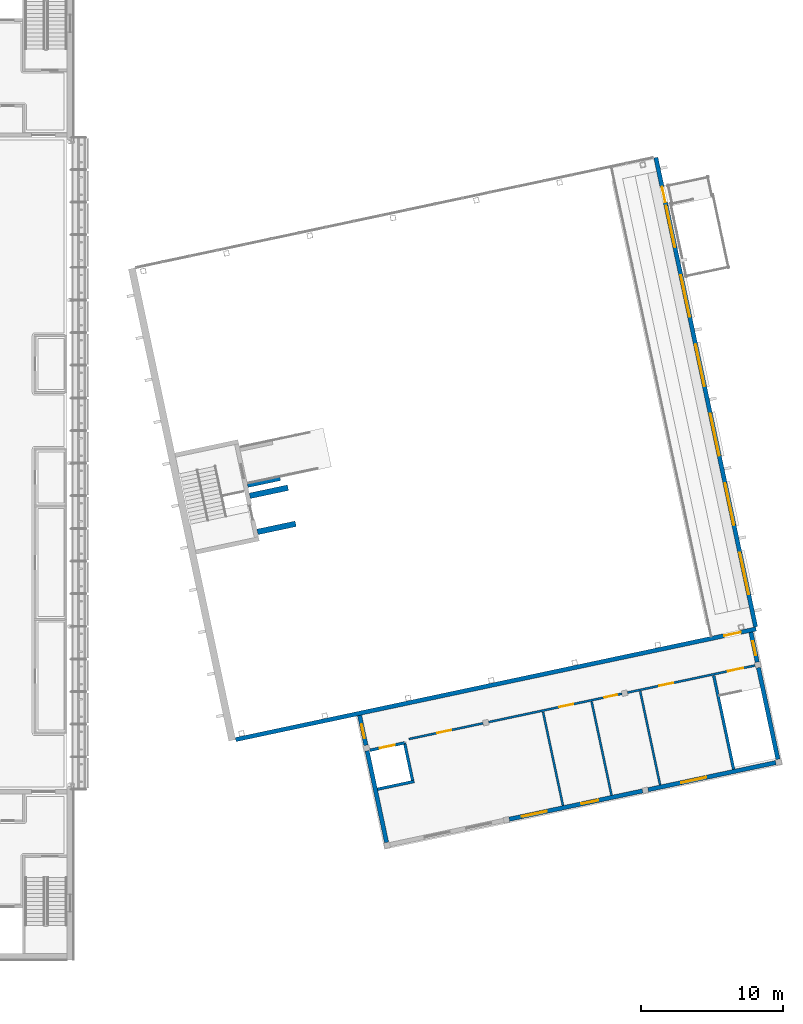
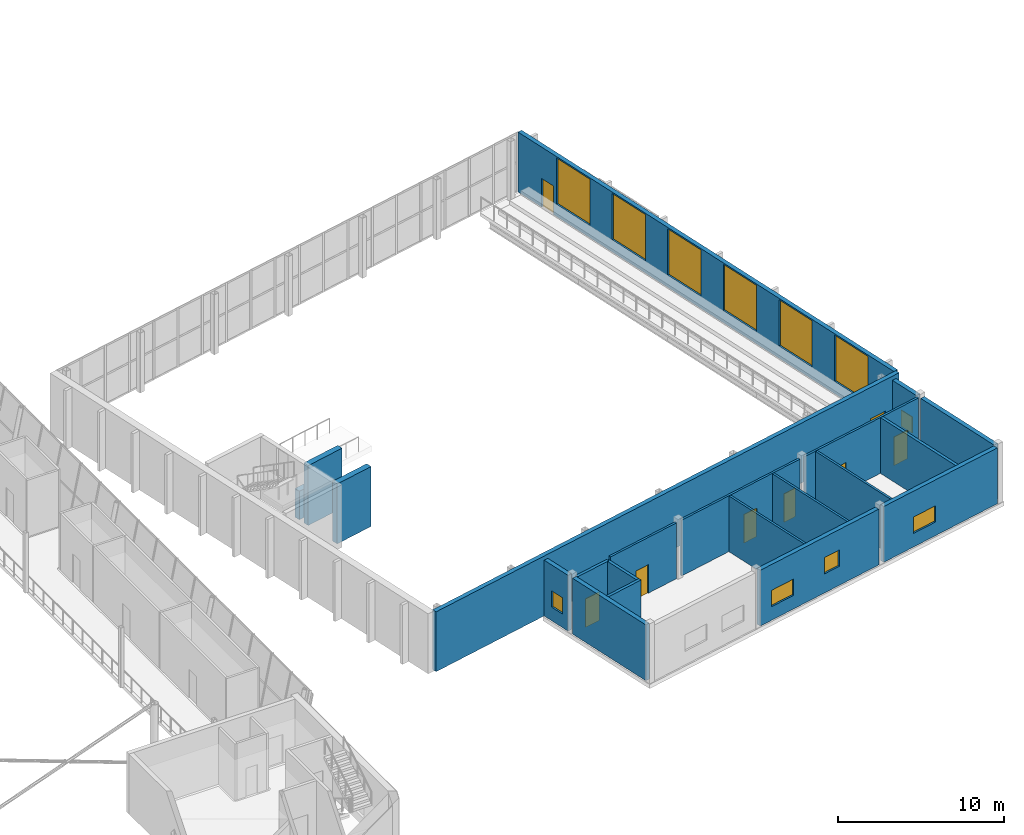
# One storey, part 76 of 115: 21 walls, 11 windows, 8 doors, 19 openings.
"""IFC4 building model written with IfcOpenShell, lengths in metres."""

from ifc_helpers import new_model, si_unit, direction, frame, frame_2d, origin, place, context, subcontext, project, spatial, rectangle, extrude, material, layer, layer_set, type_object, element, fill, save


model = new_model("IFC4")

# Units and contexts
model_context = context("Model", 3, precision=1e-05, world=origin(), true_north=direction((0.0, 1.0)))
body_context = subcontext(model_context, "Body", "Model", "MODEL_VIEW")
ifc_project = project(units=[si_unit("LENGTHUNIT", "METRE"), si_unit("AREAUNIT", "SQUARE_METRE"), si_unit("VOLUMEUNIT", "CUBIC_METRE"), si_unit("PLANEANGLEUNIT", "RADIAN"), si_unit("MASSUNIT", "GRAM", prefix="KILO")], contexts=[model_context])

# Site, building, storey
site_placement = place(None, origin())
site = spatial("IfcSite", under=ifc_project, at=site_placement, CompositionType="ELEMENT")
building_placement = place(site_placement, origin())
building = spatial("IfcBuilding", under=site, at=building_placement, Name="Windward Yard Aquatics Centre", CompositionType="ELEMENT")
storey_placement = place(building_placement, frame((0.0, 0.0, 5.0)))
storey = spatial("IfcBuildingStorey", under=building, at=storey_placement, Name="L01", CompositionType="ELEMENT", Elevation=5.0)

# Wall, opening, door
ifc_material_1 = material(Name="Concrete C35/45", Category="concrete")
ifc_layer_1 = layer(ifc_material_1, 0.199951171875)
ifc_layer_set_1 = layer_set([ifc_layer_1], Name="D annex core wall 200")
wall_type_1 = type_object("IfcWallType", Name="D annex core wall 200", PredefinedType="SOLIDWALL", material=ifc_layer_set_1)
wall_1_placement = place(storey_placement, frame((172.9013671875, 40.776123046875, 0.0), z_axis=(0.0, 0.0, 1.0), x_axis=(0.978146935828, 0.207914818928, 0.0)))
wall_1 = element("IfcWall", 1, at=wall_1_placement, inside=storey, type_object=wall_type_1, Name="D.W.A.L01.LS.N", PredefinedType="SOLIDWALL", context=body_context, shape_type="SweptSolid", body=[
    extrude(rectangle(XDim=2.5, YDim=0.199951171875, at=frame_2d((1.25, 0.0))), origin(), (0.0, 0.0, 1.0), 4.10009765625),
])
opening_1_placement = place(wall_1_placement, frame((0.699951171875, 0.0, 0.0)))
opening_1 = element("IfcOpeningElement", 2, at=opening_1_placement, cuts=wall_1, Name="Opening D1901", PredefinedType="OPENING", context=body_context, shape_type="SweptSolid", body=[
    extrude(rectangle(XDim=1.10009765625, YDim=2.10009765625, at=frame_2d((0.550048828125, 1.050048828125))), frame((0.0, 0.10986328125, 0.0), z_axis=(0.0, -1.0, 0.0), x_axis=(1.0, 0.0, 0.0)), (0.0, 0.0, 1.0), 0.219970703125),
])
ifc_material_2 = material(Name="Aluminium framed glazed sliding door", Category="aluminium")
door_type_1 = type_object("IfcDoorType", Name="D sliding door 1100X2100 FD60", OperationType="SLIDING_TO_LEFT", PredefinedType="DOOR", material=ifc_material_2)
door_1_placement = place(opening_1_placement, origin())
door_1 = element("IfcDoor", 3, at=door_1_placement, inside=storey, type_object=door_type_1, Name="Lift 1 landing door L01", OperationType="SLIDING_TO_LEFT", OverallHeight=2.10009765625, OverallWidth=1.10009765625, PredefinedType="DOOR", context=body_context, shape_type="SweptSolid", body=[
    extrude(rectangle(XDim=1.10009765625, YDim=2.10009765625, at=frame_2d((0.550048828125, 1.050048828125))), frame((0.0, 0.02490234375, 0.0), z_axis=(0.0, -1.0, 0.0), x_axis=(1.0, 0.0, 0.0)), (0.0, 0.0, 1.0), 0.050048828125),
])
fill(opening_1, door_1)

# Walls
wall_2_placement = place(storey_placement, frame((175.9287109375, 38.55712890625, 0.0), z_axis=(0.0, 0.0, 1.0), x_axis=(-0.207873355681, 0.978155748334, 0.0)))
element("IfcWall", 4, at=wall_2_placement, inside=storey, type_object=wall_type_1, Name="D.W.A.L01.LS.E", PredefinedType="SOLIDWALL", context=body_context, shape_type="SweptSolid", body=[
    extrude(rectangle(XDim=2.800048828125, YDim=0.199951171875, at=frame_2d((1.39990234375, 0.0))), origin(), (0.0, 0.0, 1.0), 4.10009765625),
])
wall_3_placement = place(storey_placement, frame((173.4345703125, 38.02685546875, 0.0), z_axis=(0.0, 0.0, 1.0), x_axis=(0.978142223379, 0.207936987677, 0.0)))
element("IfcWall", 5, at=wall_3_placement, inside=storey, type_object=wall_type_1, Name="D.W.A.L01.LS.S", PredefinedType="SOLIDWALL", context=body_context, shape_type="SweptSolid", body=[
    extrude(rectangle(XDim=2.64990234375, YDim=0.199951171875, at=frame_2d((1.324951171875, 0.0))), origin(), (0.0, 0.0, 1.0), 4.10009765625),
])
wall_4_placement = place(storey_placement, frame((198.5419921875, 39.427734375, 0.0), z_axis=(0.0, 0.0, 1.0), x_axis=(-0.207940514438, 0.97814147364, 0.0)))
element("IfcWall", 6, at=wall_4_placement, inside=storey, type_object=wall_type_1, Name="D.W.A.L01.SE.W", PredefinedType="SOLIDWALL", context=body_context, shape_type="SweptSolid", body=[
    extrude(rectangle(XDim=6.749755859375, YDim=0.199951171875, at=frame_2d((3.375, 0.0))), origin(), (0.0, 0.0, 1.0), 4.10009765625),
])

# Wall, openings, windows
ifc_layer_2 = layer(ifc_material_1, 0.300048828125)
ifc_layer_set_2 = layer_set([ifc_layer_2], Name="D annex external wall 300")
wall_type_2 = type_object("IfcWallType", Name="D annex external wall 300", PredefinedType="ELEMENTEDWALL", material=ifc_layer_set_2)
wall_5_placement = place(storey_placement, frame((182.72705078125, 35.912841796875, 0.0), z_axis=(0.0, 0.0, 1.0), x_axis=(0.978150512552, 0.207897991319, 0.0)))
wall_5 = element("IfcWall", 7, at=wall_5_placement, inside=storey, type_object=wall_type_2, Name="D.W.A.L01.S.2", PredefinedType="ELEMENTEDWALL", context=body_context, shape_type="SweptSolid", body=[
    extrude(rectangle(XDim=9.60009765625, YDim=0.300048828125, at=frame_2d((4.800048828125, 0.0))), origin(), (0.0, 0.0, 1.0), 4.10009765625),
])
opening_2_placement = place(wall_5_placement, frame((0.89990234375, 0.0, 1.0)))
opening_2 = element("IfcOpeningElement", 8, at=opening_2_placement, cuts=wall_5, Name="Opening DW1011", PredefinedType="OPENING", context=body_context, shape_type="SweptSolid", body=[
    extrude(rectangle(XDim=1.800048828125, YDim=1.199951171875, at=frame_2d((0.89990234375, 0.60009765625))), frame((0.0, 0.16015625, 0.0), z_axis=(0.0, -1.0, 0.0), x_axis=(1.0, 0.0, 0.0)), (0.0, 0.0, 1.0), 0.320068359375),
])
opening_3_placement = place(wall_5_placement, frame((5.199951171875, 0.0, 1.39990234375)))
opening_3 = element("IfcOpeningElement", 9, at=opening_3_placement, cuts=wall_5, Name="Opening DW1012", PredefinedType="OPENING", context=body_context, shape_type="SweptSolid", body=[
    extrude(rectangle(XDim=1.199951171875, YDim=1.199951171875, at=frame_2d((0.60009765625, 0.60009765625))), frame((0.0, 0.16015625, 0.0), z_axis=(0.0, -1.0, 0.0), x_axis=(1.0, 0.0, 0.0)), (0.0, 0.0, 1.0), 0.320068359375),
])
ifc_material_3 = material(Name="Aluminium framed double glazing", Category="aluminium")
window_type_1 = type_object("IfcWindowType", Name="D window 1200X1200", PartitioningType="SINGLE_PANEL", PredefinedType="WINDOW", material=ifc_material_3)
window_1_placement = place(opening_3_placement, origin())
window_1 = element("IfcWindow", 10, at=window_1_placement, inside=storey, type_object=window_type_1, Name="Window DW1012", OverallHeight=1.199951171875, OverallWidth=1.199951171875, PartitioningType="SINGLE_PANEL", PredefinedType="WINDOW", context=body_context, shape_type="SweptSolid", body=[
    extrude(rectangle(XDim=1.199951171875, YDim=1.199951171875, at=frame_2d((0.60009765625, 0.60009765625))), frame((0.0, 0.030029296875, 0.0), z_axis=(0.0, -1.0, 0.0), x_axis=(1.0, 0.0, 0.0)), (0.0, 0.0, 1.0), 0.06005859375),
])
fill(opening_3, window_1)
window_type_2 = type_object("IfcWindowType", Name="D window 1800X1200", PartitioningType="SINGLE_PANEL", PredefinedType="WINDOW", material=ifc_material_3)
window_2_placement = place(opening_2_placement, origin())
window_2 = element("IfcWindow", 11, at=window_2_placement, inside=storey, type_object=window_type_2, Name="Window DW1011", OverallHeight=1.199951171875, OverallWidth=1.800048828125, PartitioningType="SINGLE_PANEL", PredefinedType="WINDOW", context=body_context, shape_type="SweptSolid", body=[
    extrude(rectangle(XDim=1.800048828125, YDim=1.199951171875, at=frame_2d((0.89990234375, 0.60009765625))), frame((0.0, 0.030029296875, 0.0), z_axis=(0.0, -1.0, 0.0), x_axis=(1.0, 0.0, 0.0)), (0.0, 0.0, 1.0), 0.06005859375),
])
fill(opening_2, window_2)

# Wall, opening, window
wall_6_placement = place(storey_placement, frame((192.508544921875, 37.991943359375, 0.0), z_axis=(0.0, 0.0, 1.0), x_axis=(0.978146709523, 0.20791588359, 0.0)))
wall_6 = element("IfcWall", 12, at=wall_6_placement, inside=storey, type_object=wall_type_2, Name="D.W.A.L01.S.3", PredefinedType="ELEMENTEDWALL", context=body_context, shape_type="SweptSolid", body=[
    extrude(rectangle(XDim=9.2001953125, YDim=0.300048828125, at=frame_2d((4.60009765625, 0.0))), origin(), (0.0, 0.0, 1.0), 4.10009765625),
])
opening_4_placement = place(wall_6_placement, frame((2.39990234375, 0.0, 1.0)))
opening_4 = element("IfcOpeningElement", 13, at=opening_4_placement, cuts=wall_6, Name="Opening DW1013", PredefinedType="OPENING", context=body_context, shape_type="SweptSolid", body=[
    extrude(rectangle(XDim=1.800048828125, YDim=1.199951171875, at=frame_2d((0.89990234375, 0.60009765625))), frame((0.0, 0.16015625, 0.0), z_axis=(0.0, -1.0, 0.0), x_axis=(1.0, 0.0, 0.0)), (0.0, 0.0, 1.0), 0.320068359375),
])
window_3_placement = place(opening_4_placement, origin())
window_3 = element("IfcWindow", 14, at=window_3_placement, inside=storey, type_object=window_type_2, Name="Window DW1013", OverallHeight=1.199951171875, OverallWidth=1.800048828125, PartitioningType="SINGLE_PANEL", PredefinedType="WINDOW", context=body_context, shape_type="SweptSolid", body=[
    extrude(rectangle(XDim=1.800048828125, YDim=1.199951171875, at=frame_2d((0.89990234375, 0.60009765625))), frame((0.0, 0.030029296875, 0.0), z_axis=(0.0, -1.0, 0.0), x_axis=(1.0, 0.0, 0.0)), (0.0, 0.0, 1.0), 0.06005859375),
])
fill(opening_4, window_3)

# Walls
for number, where, z_axis, x_axis, name in (
    (15, (174.077880859375, 34.27880859375, 0.0), (0.0, 0.0, 1.0), (-0.207924673876, 0.978144841009, 0.0), "D.W.A.L01.W.1"),
    (16, (201.66162109375, 40.141845703125, 0.0), (0.0, 0.0, 1.0), (-0.207924673876, 0.978144841009, 0.0), "D.W.A.L01.E.1"),
):
    element("IfcWall", number, at=place(storey_placement, frame(where, z_axis=z_axis, x_axis=x_axis)), inside=storey, type_object=wall_type_2, Name=name, PredefinedType="ELEMENTEDWALL", context=body_context, shape_type="SweptSolid", body=[
        extrude(rectangle(XDim=6.60009765625, YDim=0.300048828125, at=frame_2d((3.300048828125, 0.0))), origin(), (0.0, 0.0, 1.0), 4.10009765625),
    ])

# Wall, opening, window
wall_7_placement = place(storey_placement, frame((172.62255859375, 41.125732421875, 0.0), z_axis=(0.0, 0.0, 1.0), x_axis=(-0.207915795165, 0.978146728319, 0.0)))
wall_7 = element("IfcWall", 17, at=wall_7_placement, inside=storey, type_object=wall_type_2, Name="D.W.A.L01.WN.1", PredefinedType="ELEMENTEDWALL", context=body_context, shape_type="SweptSolid", body=[
    extrude(rectangle(XDim=2.14990234375, YDim=0.300048828125, at=frame_2d((1.074951171875, 0.0))), origin(), (0.0, 0.0, 1.0), 4.10009765625),
])
opening_5_placement = place(wall_7_placement, frame((0.5, 0.0, 1.0)))
opening_5 = element("IfcOpeningElement", 18, at=opening_5_placement, cuts=wall_7, Name="Opening DW1007", PredefinedType="OPENING", context=body_context, shape_type="SweptSolid", body=[
    extrude(rectangle(XDim=1.0, YDim=1.199951171875, at=frame_2d((0.5, 0.60009765625))), frame((0.0, 0.16015625, 0.0), z_axis=(0.0, -1.0, 0.0), x_axis=(1.0, 0.0, 0.0)), (0.0, 0.0, 1.0), 0.320068359375),
])
window_type_3 = type_object("IfcWindowType", Name="D window 1000X1200", PartitioningType="SINGLE_PANEL", PredefinedType="WINDOW", material=ifc_material_3)
window_4_placement = place(opening_5_placement, origin())
window_4 = element("IfcWindow", 19, at=window_4_placement, inside=storey, type_object=window_type_3, Name="Window DW1007", OverallHeight=1.199951171875, OverallWidth=1.0, PartitioningType="SINGLE_PANEL", PredefinedType="WINDOW", context=body_context, shape_type="SweptSolid", body=[
    extrude(rectangle(XDim=1.0, YDim=1.199951171875, at=frame_2d((0.5, 0.60009765625))), frame((0.0, 0.030029296875, 0.0), z_axis=(0.0, -1.0, 0.0), x_axis=(1.0, 0.0, 0.0)), (0.0, 0.0, 1.0), 0.06005859375),
])
fill(opening_5, window_4)

wall_8_placement = place(storey_placement, frame((200.206298828125, 46.989013671875, 0.0), z_axis=(0.0, 0.0, 1.0), x_axis=(-0.207938891219, 0.978141818715, 0.0)))
wall_8 = element("IfcWall", 20, at=wall_8_placement, inside=storey, type_object=wall_type_2, Name="D.W.A.L01.EN.1", PredefinedType="ELEMENTEDWALL", context=body_context, shape_type="SweptSolid", body=[
    extrude(rectangle(XDim=2.149658203125, YDim=0.300048828125, at=frame_2d((1.07470703125, 0.0))), origin(), (0.0, 0.0, 1.0), 4.10009765625),
])
opening_6_placement = place(wall_8_placement, frame((0.5, 0.0, 1.0)))
opening_6 = element("IfcOpeningElement", 21, at=opening_6_placement, cuts=wall_8, Name="Opening DW1008", PredefinedType="OPENING", context=body_context, shape_type="SweptSolid", body=[
    extrude(rectangle(XDim=1.0, YDim=1.199951171875, at=frame_2d((0.5, 0.60009765625))), frame((0.0, 0.16015625, 0.0), z_axis=(0.0, -1.0, 0.0), x_axis=(1.0, 0.0, 0.0)), (0.0, 0.0, 1.0), 0.320068359375),
])
window_5_placement = place(opening_6_placement, origin())
window_5 = element("IfcWindow", 22, at=window_5_placement, inside=storey, type_object=window_type_3, Name="Window DW1008", OverallHeight=1.199951171875, OverallWidth=1.0, PartitioningType="SINGLE_PANEL", PredefinedType="WINDOW", context=body_context, shape_type="SweptSolid", body=[
    extrude(rectangle(XDim=1.0, YDim=1.199951171875, at=frame_2d((0.5, 0.60009765625))), frame((0.0, 0.030029296875, 0.0), z_axis=(0.0, -1.0, 0.0), x_axis=(1.0, 0.0, 0.0)), (0.0, 0.0, 1.0), 0.06005859375),
])
fill(opening_6, window_5)

# Wall, opening, door
ifc_material_4 = material(Name="Concrete masonry unit plastered", Category="masonry")
ifc_layer_3 = layer(ifc_material_4, 0.14990234375)
ifc_layer_set_3 = layer_set([ifc_layer_3], Name="D annex partition 150")
wall_type_3 = type_object("IfcWallType", Name="D annex partition 150", PredefinedType="PARTITIONING", material=ifc_layer_set_3)
wall_9_placement = place(storey_placement, frame((175.6474609375, 41.564208984375, 0.0), z_axis=(0.0, 0.0, 1.0), x_axis=(0.978148991832, 0.207905146106, 0.0)))
wall_9 = element("IfcWall", 23, at=wall_9_placement, inside=storey, type_object=wall_type_3, Name="D.W.A.L01.CP.1", PredefinedType="PARTITIONING", context=body_context, shape_type="SweptSolid", body=[
    extrude(rectangle(XDim=5.35009765625, YDim=0.14990234375, at=frame_2d((2.675048828125, 0.0))), origin(), (0.0, 0.0, 1.0), 4.10009765625),
])
opening_7_placement = place(wall_9_placement, frame((2.050048828125, 0.0, 0.0)))
opening_7 = element("IfcOpeningElement", 24, at=opening_7_placement, cuts=wall_9, Name="Opening D1006", PredefinedType="OPENING", context=body_context, shape_type="SweptSolid", body=[
    extrude(rectangle(XDim=1.0, YDim=2.10009765625, at=frame_2d((0.5, 1.050048828125))), frame((0.0, 0.0849609375, 0.0), z_axis=(0.0, -1.0, 0.0), x_axis=(1.0, 0.0, 0.0)), (0.0, 0.0, 1.0), 0.169921875),
])
ifc_material_5 = material(Name="Timber door leaf in steel frame", Category="steel")
door_type_2 = type_object("IfcDoorType", Name="D door 1000X2100 FD30S", OperationType="SINGLE_SWING_LEFT", PredefinedType="DOOR", material=ifc_material_5)
door_2_placement = place(opening_7_placement, origin())
door_2 = element("IfcDoor", 25, at=door_2_placement, inside=storey, type_object=door_type_2, Name="Door D1006", OperationType="SINGLE_SWING_LEFT", OverallHeight=2.10009765625, OverallWidth=1.0, PredefinedType="DOOR", context=body_context, shape_type="SweptSolid", body=[
    extrude(rectangle(XDim=1.0, YDim=2.10009765625, at=frame_2d((0.5, 1.050048828125))), frame((0.0, 0.02490234375, 0.0), z_axis=(0.0, -1.0, 0.0), x_axis=(1.0, 0.0, 0.0)), (0.0, 0.0, 1.0), 0.050048828125),
])
fill(opening_7, door_2)

# Wall, openings, doors
wall_10_placement = place(storey_placement, frame((181.271728515625, 42.759765625, 0.0), z_axis=(0.0, 0.0, 1.0), x_axis=(0.978150512552, 0.207897991319, 0.0)))
wall_10 = element("IfcWall", 26, at=wall_10_placement, inside=storey, type_object=wall_type_3, Name="D.W.A.L01.CP.2", PredefinedType="PARTITIONING", context=body_context, shape_type="SweptSolid", body=[
    extrude(rectangle(XDim=9.60009765625, YDim=0.14990234375, at=frame_2d((4.800048828125, 0.0))), origin(), (0.0, 0.0, 1.0), 4.10009765625),
])
opening_8_placement = place(wall_10_placement, frame((5.10009765625, 0.0, 0.0)))
opening_8 = element("IfcOpeningElement", 27, at=opening_8_placement, cuts=wall_10, Name="Opening D1007", PredefinedType="OPENING", context=body_context, shape_type="SweptSolid", body=[
    extrude(rectangle(XDim=1.0, YDim=2.10009765625, at=frame_2d((0.5, 1.050048828125))), frame((0.0, 0.0849609375, 0.0), z_axis=(0.0, -1.0, 0.0), x_axis=(1.0, 0.0, 0.0)), (0.0, 0.0, 1.0), 0.169921875),
])
opening_9_placement = place(wall_10_placement, frame((8.35009765625, 0.0, 0.0)))
opening_9 = element("IfcOpeningElement", 28, at=opening_9_placement, cuts=wall_10, Name="Opening D1008", PredefinedType="OPENING", context=body_context, shape_type="SweptSolid", body=[
    extrude(rectangle(XDim=0.89990234375, YDim=2.10009765625, at=frame_2d((0.449951171875, 1.050048828125))), frame((0.0, 0.0849609375, 0.0), z_axis=(0.0, -1.0, 0.0), x_axis=(1.0, 0.0, 0.0)), (0.0, 0.0, 1.0), 0.169921875),
])
door_3_placement = place(opening_8_placement, origin())
door_3 = element("IfcDoor", 29, at=door_3_placement, inside=storey, type_object=door_type_2, Name="Door D1007", OperationType="SINGLE_SWING_LEFT", OverallHeight=2.10009765625, OverallWidth=1.0, PredefinedType="DOOR", context=body_context, shape_type="SweptSolid", body=[
    extrude(rectangle(XDim=1.0, YDim=2.10009765625, at=frame_2d((0.5, 1.050048828125))), frame((0.0, 0.02490234375, 0.0), z_axis=(0.0, -1.0, 0.0), x_axis=(1.0, 0.0, 0.0)), (0.0, 0.0, 1.0), 0.050048828125),
])
fill(opening_8, door_3)
door_type_3 = type_object("IfcDoorType", Name="D door 900X2100 FD30S", OperationType="SINGLE_SWING_LEFT", PredefinedType="DOOR", material=ifc_material_5)
door_4_placement = place(opening_9_placement, origin())
door_4 = element("IfcDoor", 30, at=door_4_placement, inside=storey, type_object=door_type_3, Name="Door D1008", OperationType="SINGLE_SWING_LEFT", OverallHeight=2.10009765625, OverallWidth=0.89990234375, PredefinedType="DOOR", context=body_context, shape_type="SweptSolid", body=[
    extrude(rectangle(XDim=0.89990234375, YDim=2.10009765625, at=frame_2d((0.449951171875, 1.050048828125))), frame((0.0, 0.02490234375, 0.0), z_axis=(0.0, -1.0, 0.0), x_axis=(1.0, 0.0, 0.0)), (0.0, 0.0, 1.0), 0.050048828125),
])
fill(opening_9, door_4)

wall_11_placement = place(storey_placement, frame((191.05322265625, 44.8388671875, 0.0), z_axis=(0.0, 0.0, 1.0), x_axis=(0.978146709523, 0.20791588359, 0.0)))
wall_11 = element("IfcWall", 31, at=wall_11_placement, inside=storey, type_object=wall_type_3, Name="D.W.A.L01.CP.3", PredefinedType="PARTITIONING", context=body_context, shape_type="SweptSolid", body=[
    extrude(rectangle(XDim=9.2001953125, YDim=0.14990234375, at=frame_2d((4.60009765625, 0.0))), origin(), (0.0, 0.0, 1.0), 4.10009765625),
])
opening_10_placement = place(wall_11_placement, frame((2.300048828125, 0.0, 0.0)))
opening_10 = element("IfcOpeningElement", 32, at=opening_10_placement, cuts=wall_11, Name="Opening D1009", PredefinedType="OPENING", context=body_context, shape_type="SweptSolid", body=[
    extrude(rectangle(XDim=1.0, YDim=2.10009765625, at=frame_2d((0.5, 1.050048828125))), frame((0.0, 0.0849609375, 0.0), z_axis=(0.0, -1.0, 0.0), x_axis=(1.0, 0.0, 0.0)), (0.0, 0.0, 1.0), 0.169921875),
])
opening_11_placement = place(wall_11_placement, frame((7.25, 0.0, 0.0)))
opening_11 = element("IfcOpeningElement", 33, at=opening_11_placement, cuts=wall_11, Name="Opening D1010", PredefinedType="OPENING", context=body_context, shape_type="SweptSolid", body=[
    extrude(rectangle(XDim=1.10009765625, YDim=2.10009765625, at=frame_2d((0.550048828125, 1.050048828125))), frame((0.0, 0.0849609375, 0.0), z_axis=(0.0, -1.0, 0.0), x_axis=(1.0, 0.0, 0.0)), (0.0, 0.0, 1.0), 0.169921875),
])
door_5_placement = place(opening_10_placement, origin())
door_5 = element("IfcDoor", 34, at=door_5_placement, inside=storey, type_object=door_type_2, Name="Door D1009", OperationType="SINGLE_SWING_LEFT", OverallHeight=2.10009765625, OverallWidth=1.0, PredefinedType="DOOR", context=body_context, shape_type="SweptSolid", body=[
    extrude(rectangle(XDim=1.0, YDim=2.10009765625, at=frame_2d((0.5, 1.050048828125))), frame((0.0, 0.02490234375, 0.0), z_axis=(0.0, -1.0, 0.0), x_axis=(1.0, 0.0, 0.0)), (0.0, 0.0, 1.0), 0.050048828125),
])
fill(opening_10, door_5)
ifc_material_6 = material(Name="Steel door leaf in steel frame", Category="steel")
door_type_4 = type_object("IfcDoorType", Name="D steel door 1100X2100 FD60", OperationType="SINGLE_SWING_LEFT", PredefinedType="DOOR", material=ifc_material_6)
door_6_placement = place(opening_11_placement, origin())
door_6 = element("IfcDoor", 35, at=door_6_placement, inside=storey, type_object=door_type_4, Name="Door D1010", OperationType="SINGLE_SWING_LEFT", OverallHeight=2.10009765625, OverallWidth=1.10009765625, PredefinedType="DOOR", context=body_context, shape_type="SweptSolid", body=[
    extrude(rectangle(XDim=1.10009765625, YDim=2.10009765625, at=frame_2d((0.550048828125, 1.050048828125))), frame((0.0, 0.02490234375, 0.0), z_axis=(0.0, -1.0, 0.0), x_axis=(1.0, 0.0, 0.0)), (0.0, 0.0, 1.0), 0.050048828125),
])
fill(opening_11, door_6)

# Walls
for number, where, z_axis, x_axis, name in (
    (36, (186.5107421875, 36.870361328125, 0.0), (0.0, 0.0, 1.0), (-0.207898552739, 0.978150393226, 0.0), "D.W.A.L01.DV.22.1"),
    (37, (189.93408203125, 37.597900390625, 0.0), (0.0, 0.0, 1.0), (-0.207898552739, 0.978150393226, 0.0), "D.W.A.L01.DV.25.6"),
    (38, (193.35791015625, 38.32568359375, 0.0), (0.0, 0.0, 1.0), (-0.207933157916, 0.978143037515, 0.0), "D.W.A.L01.DV.29.1"),
):
    element("IfcWall", number, at=place(storey_placement, frame(where, z_axis=z_axis, x_axis=x_axis)), inside=storey, type_object=wall_type_3, Name=name, PredefinedType="PARTITIONING", context=body_context, shape_type="SweptSolid", body=[
        extrude(rectangle(XDim=6.75, YDim=0.14990234375, at=frame_2d((3.375, 0.0))), origin(), (0.0, 0.0, 1.0), 4.10009765625),
    ])

# Wall, opening, door
ifc_layer_4 = layer(ifc_material_1, 0.300048828125)
ifc_layer_set_4 = layer_set([ifc_layer_4], Name="D diving hall external wall 300")
wall_type_4 = type_object("IfcWallType", Name="D diving hall external wall 300", PredefinedType="SOLIDWALL", material=ifc_layer_set_4)
wall_12_placement = place(storey_placement, frame((163.438720703125, 41.525146484375, 0.0), z_axis=(0.0, 0.0, 1.0), x_axis=(0.978148061555, 0.207909522815, 0.0)))
wall_12 = element("IfcWall", 39, at=wall_12_placement, inside=storey, type_object=wall_type_4, Name="D.W.S.L01", PredefinedType="SOLIDWALL", context=body_context, shape_type="SweptSolid", body=[
    extrude(rectangle(XDim=37.5, YDim=0.300048828125, at=frame_2d((18.75, 0.0))), origin(), (0.0, 0.0, 1.0), 4.39990234375),
])
opening_12_placement = place(wall_12_placement, frame((35.199951171875, 0.0, 0.0)))
opening_12 = element("IfcOpeningElement", 40, at=opening_12_placement, cuts=wall_12, Name="Opening D1001", PredefinedType="OPENING", context=body_context, shape_type="SweptSolid", body=[
    extrude(rectangle(XDim=1.199951171875, YDim=2.10009765625, at=frame_2d((0.60009765625, 1.050048828125))), frame((0.0, 0.16015625, 0.0), z_axis=(0.0, -1.0, 0.0), x_axis=(1.0, 0.0, 0.0)), (0.0, 0.0, 1.0), 0.320068359375),
])
ifc_material_7 = material(Name="Aluminium framed glazed door", Category="aluminium")
door_type_5 = type_object("IfcDoorType", Name="D glazed door 1200X2100 FD30S", OperationType="SINGLE_SWING_LEFT", PredefinedType="DOOR", material=ifc_material_7)
door_7_placement = place(opening_12_placement, origin())
door_7 = element("IfcDoor", 41, at=door_7_placement, inside=storey, type_object=door_type_5, Name="Gallery door from the annex", OperationType="SINGLE_SWING_LEFT", OverallHeight=2.10009765625, OverallWidth=1.199951171875, PredefinedType="DOOR", context=body_context, shape_type="SweptSolid", body=[
    extrude(rectangle(XDim=1.199951171875, YDim=2.10009765625, at=frame_2d((0.60009765625, 1.050048828125))), frame((0.0, 0.02490234375, 0.0), z_axis=(0.0, -1.0, 0.0), x_axis=(1.0, 0.0, 0.0)), (0.0, 0.0, 1.0), 0.050048828125),
])
fill(opening_12, door_7)

# Wall, openings, door, windows
wall_13_placement = place(storey_placement, frame((200.088134765625, 49.468505859375, 0.0), z_axis=(0.0, 0.0, 1.0), x_axis=(-0.207915737435, 0.97814674059, 0.0)))
wall_13 = element("IfcWall", 42, at=wall_13_placement, inside=storey, type_object=wall_type_4, Name="D.W.E.L01", PredefinedType="SOLIDWALL", context=body_context, shape_type="SweptSolid", body=[
    extrude(rectangle(XDim=33.820068359375, YDim=0.300048828125, at=frame_2d((16.91015625, 0.0))), origin(), (0.0, 0.0, 1.0), 4.39990234375),
])
opening_13_placement = place(wall_13_placement, frame((30.60009765625, 0.0, 0.0)))
opening_13 = element("IfcOpeningElement", 43, at=opening_13_placement, cuts=wall_13, Name="Opening D1002", PredefinedType="OPENING", context=body_context, shape_type="SweptSolid", body=[
    extrude(rectangle(XDim=1.10009765625, YDim=2.10009765625, at=frame_2d((0.550048828125, 1.050048828125))), frame((0.0, 0.16015625, 0.0), z_axis=(0.0, -1.0, 0.0), x_axis=(1.0, 0.0, 0.0)), (0.0, 0.0, 1.0), 0.320068359375),
])
opening_14_placement = place(wall_13_placement, frame((2.35009765625, 0.0, 0.89990234375)))
opening_14 = element("IfcOpeningElement", 44, at=opening_14_placement, cuts=wall_13, Name="Opening DW1001", PredefinedType="OPENING", context=body_context, shape_type="SweptSolid", body=[
    extrude(rectangle(XDim=3.0, YDim=3.39990234375, at=frame_2d((1.5, 1.699951171875))), frame((0.0, 0.16015625, 0.0), z_axis=(0.0, -1.0, 0.0), x_axis=(1.0, 0.0, 0.0)), (0.0, 0.0, 1.0), 0.320068359375),
])
opening_15_placement = place(wall_13_placement, frame((7.35009765625, 0.0, 0.89990234375)))
opening_15 = element("IfcOpeningElement", 45, at=opening_15_placement, cuts=wall_13, Name="Opening DW1002", PredefinedType="OPENING", context=body_context, shape_type="SweptSolid", body=[
    extrude(rectangle(XDim=3.0, YDim=3.39990234375, at=frame_2d((1.5, 1.699951171875))), frame((0.0, 0.16015625, 0.0), z_axis=(0.0, -1.0, 0.0), x_axis=(1.0, 0.0, 0.0)), (0.0, 0.0, 1.0), 0.320068359375),
])
opening_16_placement = place(wall_13_placement, frame((12.35009765625, 0.0, 0.89990234375)))
opening_16 = element("IfcOpeningElement", 46, at=opening_16_placement, cuts=wall_13, Name="Opening DW1003", PredefinedType="OPENING", context=body_context, shape_type="SweptSolid", body=[
    extrude(rectangle(XDim=3.0, YDim=3.39990234375, at=frame_2d((1.5, 1.699951171875))), frame((0.0, 0.16015625, 0.0), z_axis=(0.0, -1.0, 0.0), x_axis=(1.0, 0.0, 0.0)), (0.0, 0.0, 1.0), 0.320068359375),
])
opening_17_placement = place(wall_13_placement, frame((17.35009765625, 0.0, 0.89990234375)))
opening_17 = element("IfcOpeningElement", 47, at=opening_17_placement, cuts=wall_13, Name="Opening DW1004", PredefinedType="OPENING", context=body_context, shape_type="SweptSolid", body=[
    extrude(rectangle(XDim=3.0, YDim=3.39990234375, at=frame_2d((1.5, 1.699951171875))), frame((0.0, 0.16015625, 0.0), z_axis=(0.0, -1.0, 0.0), x_axis=(1.0, 0.0, 0.0)), (0.0, 0.0, 1.0), 0.320068359375),
])
opening_18_placement = place(wall_13_placement, frame((22.35009765625, 0.0, 0.89990234375)))
opening_18 = element("IfcOpeningElement", 48, at=opening_18_placement, cuts=wall_13, Name="Opening DW1005", PredefinedType="OPENING", context=body_context, shape_type="SweptSolid", body=[
    extrude(rectangle(XDim=3.0, YDim=3.39990234375, at=frame_2d((1.5, 1.699951171875))), frame((0.0, 0.16015625, 0.0), z_axis=(0.0, -1.0, 0.0), x_axis=(1.0, 0.0, 0.0)), (0.0, 0.0, 1.0), 0.320068359375),
])
opening_19_placement = place(wall_13_placement, frame((27.35009765625, 0.0, 0.89990234375)))
opening_19 = element("IfcOpeningElement", 49, at=opening_19_placement, cuts=wall_13, Name="Opening DW1006", PredefinedType="OPENING", context=body_context, shape_type="SweptSolid", body=[
    extrude(rectangle(XDim=3.0, YDim=3.39990234375, at=frame_2d((1.5, 1.699951171875))), frame((0.0, 0.16015625, 0.0), z_axis=(0.0, -1.0, 0.0), x_axis=(1.0, 0.0, 0.0)), (0.0, 0.0, 1.0), 0.320068359375),
])
door_8_placement = place(opening_13_placement, origin())
door_8 = element("IfcDoor", 50, at=door_8_placement, inside=storey, type_object=door_type_4, Name="Gallery escape door", OperationType="SINGLE_SWING_LEFT", OverallHeight=2.10009765625, OverallWidth=1.10009765625, PredefinedType="DOOR", context=body_context, shape_type="SweptSolid", body=[
    extrude(rectangle(XDim=1.10009765625, YDim=2.10009765625, at=frame_2d((0.550048828125, 1.050048828125))), frame((0.0, 0.02490234375, 0.0), z_axis=(0.0, -1.0, 0.0), x_axis=(1.0, 0.0, 0.0)), (0.0, 0.0, 1.0), 0.050048828125),
])
fill(opening_13, door_8)
window_type_4 = type_object("IfcWindowType", Name="D window 3000X3400", PartitioningType="SINGLE_PANEL", PredefinedType="WINDOW", material=ifc_material_3)
window_6_placement = place(opening_14_placement, origin())
window_6 = element("IfcWindow", 51, at=window_6_placement, inside=storey, type_object=window_type_4, Name="Window DW1001", OverallHeight=3.39990234375, OverallWidth=3.0, PartitioningType="SINGLE_PANEL", PredefinedType="WINDOW", context=body_context, shape_type="SweptSolid", body=[
    extrude(rectangle(XDim=3.0, YDim=3.39990234375, at=frame_2d((1.5, 1.699951171875))), frame((0.0, 0.030029296875, 0.0), z_axis=(0.0, -1.0, 0.0), x_axis=(1.0, 0.0, 0.0)), (0.0, 0.0, 1.0), 0.06005859375),
])
fill(opening_14, window_6)
window_7_placement = place(opening_15_placement, origin())
window_7 = element("IfcWindow", 52, at=window_7_placement, inside=storey, type_object=window_type_4, Name="Window DW1002", OverallHeight=3.39990234375, OverallWidth=3.0, PartitioningType="SINGLE_PANEL", PredefinedType="WINDOW", context=body_context, shape_type="SweptSolid", body=[
    extrude(rectangle(XDim=3.0, YDim=3.39990234375, at=frame_2d((1.5, 1.699951171875))), frame((0.0, 0.030029296875, 0.0), z_axis=(0.0, -1.0, 0.0), x_axis=(1.0, 0.0, 0.0)), (0.0, 0.0, 1.0), 0.06005859375),
])
fill(opening_15, window_7)
window_8_placement = place(opening_16_placement, origin())
window_8 = element("IfcWindow", 53, at=window_8_placement, inside=storey, type_object=window_type_4, Name="Window DW1003", OverallHeight=3.39990234375, OverallWidth=3.0, PartitioningType="SINGLE_PANEL", PredefinedType="WINDOW", context=body_context, shape_type="SweptSolid", body=[
    extrude(rectangle(XDim=3.0, YDim=3.39990234375, at=frame_2d((1.5, 1.699951171875))), frame((0.0, 0.030029296875, 0.0), z_axis=(0.0, -1.0, 0.0), x_axis=(1.0, 0.0, 0.0)), (0.0, 0.0, 1.0), 0.06005859375),
])
fill(opening_16, window_8)
window_9_placement = place(opening_17_placement, origin())
window_9 = element("IfcWindow", 54, at=window_9_placement, inside=storey, type_object=window_type_4, Name="Window DW1004", OverallHeight=3.39990234375, OverallWidth=3.0, PartitioningType="SINGLE_PANEL", PredefinedType="WINDOW", context=body_context, shape_type="SweptSolid", body=[
    extrude(rectangle(XDim=3.0, YDim=3.39990234375, at=frame_2d((1.5, 1.699951171875))), frame((0.0, 0.030029296875, 0.0), z_axis=(0.0, -1.0, 0.0), x_axis=(1.0, 0.0, 0.0)), (0.0, 0.0, 1.0), 0.06005859375),
])
fill(opening_17, window_9)
window_10_placement = place(opening_18_placement, origin())
window_10 = element("IfcWindow", 55, at=window_10_placement, inside=storey, type_object=window_type_4, Name="Window DW1005", OverallHeight=3.39990234375, OverallWidth=3.0, PartitioningType="SINGLE_PANEL", PredefinedType="WINDOW", context=body_context, shape_type="SweptSolid", body=[
    extrude(rectangle(XDim=3.0, YDim=3.39990234375, at=frame_2d((1.5, 1.699951171875))), frame((0.0, 0.030029296875, 0.0), z_axis=(0.0, -1.0, 0.0), x_axis=(1.0, 0.0, 0.0)), (0.0, 0.0, 1.0), 0.06005859375),
])
fill(opening_18, window_10)
window_11_placement = place(opening_19_placement, origin())
window_11 = element("IfcWindow", 56, at=window_11_placement, inside=storey, type_object=window_type_4, Name="Window DW1006", OverallHeight=3.39990234375, OverallWidth=3.0, PartitioningType="SINGLE_PANEL", PredefinedType="WINDOW", context=body_context, shape_type="SweptSolid", body=[
    extrude(rectangle(XDim=3.0, YDim=3.39990234375, at=frame_2d((1.5, 1.699951171875))), frame((0.0, 0.030029296875, 0.0), z_axis=(0.0, -1.0, 0.0), x_axis=(1.0, 0.0, 0.0)), (0.0, 0.0, 1.0), 0.06005859375),
])
fill(opening_19, window_11)

# Walls
ifc_layer_5 = layer(ifc_material_1, 0.39990234375)
ifc_layer_set_5 = layer_set([ifc_layer_5], Name="D tower platform support wall 400")
wall_type_5 = type_object("IfcWallType", Name="D tower platform support wall 400", PredefinedType="SOLIDWALL", material=ifc_layer_set_5)
for number, where, z_axis, x_axis, name in (
    (57, (164.978515625, 56.165283203125, 0.0), (0.0, 0.0, 1.0), (0.97816471691, 0.207831149236, 0.0), "D.W.PWSo.2"),
    (58, (164.43798828125, 58.70849609375, 0.0), (0.0, 0.0, 1.0), (0.97816471691, 0.207831149236, 0.0), "D.W.PWSi.2"),
):
    element("IfcWall", number, at=place(storey_placement, frame(where, z_axis=z_axis, x_axis=x_axis)), inside=storey, type_object=wall_type_5, Name=name, PredefinedType="SOLIDWALL", context=body_context, shape_type="SweptSolid", body=[
        extrude(rectangle(XDim=2.75, YDim=0.39990234375, at=frame_2d((1.375, 0.0))), origin(), (0.0, 0.0, 1.0), 4.39990234375),
    ])
wall_14_placement = place(storey_placement, frame((164.271728515625, 59.490966796875, 0.0), z_axis=(0.0, 0.0, 1.0), x_axis=(0.978152249362, 0.20788981954, 0.0)))
element("IfcWall", 59, at=wall_14_placement, inside=storey, type_object=wall_type_5, Name="D.W.PWNi.2", PredefinedType="SOLIDWALL", context=body_context, shape_type="SweptSolid", body=[
    extrude(rectangle(XDim=2.349853515625, YDim=0.39990234375, at=frame_2d((1.1748046875, 0.0))), origin(), (0.0, 0.0, 1.0), 2.10009765625),
])

save(model, "model.ifc")
